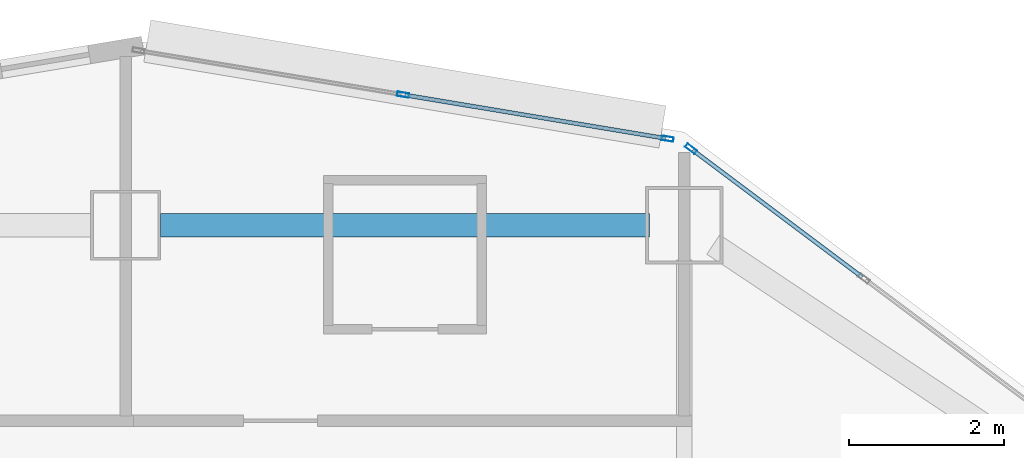
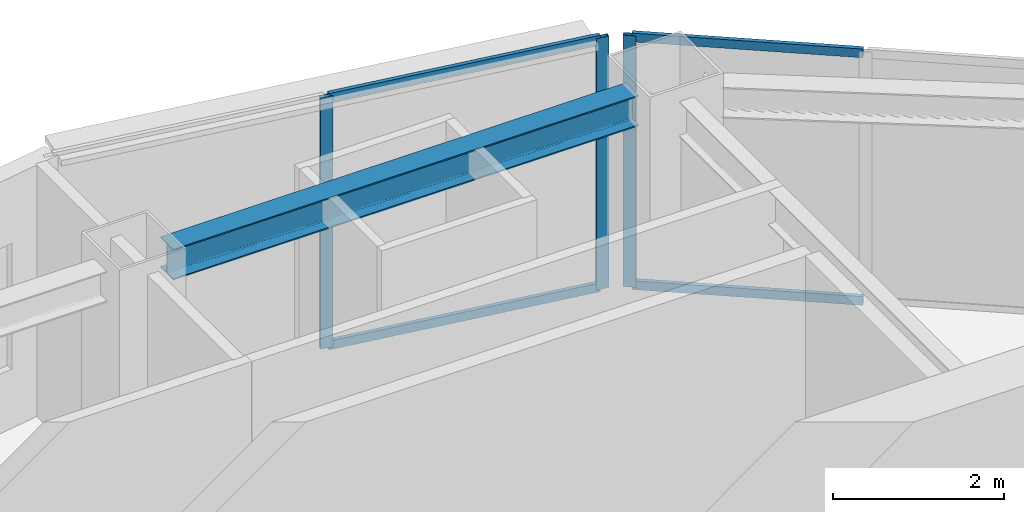
# One storey, part 4 of 14: 7 members, 1 beam, 2 elements without a shape of their own.
"""IFC4 building model written with IfcOpenShell, lengths in metres."""

from ifc_helpers import new_model, si_unit, direction, frame, origin, origin_2d, place, context, subcontext, project, spatial, hollow_rectangle, i_section, extrude, material, layer, layer_set, material_profile, profile_set, type_object, element, aggregate, save


model = new_model("IFC4")

# Units and contexts
model_context = context("Model", 3, precision=1e-05, world=origin(), true_north=direction((0.0, 1.0)))
body_context = subcontext(model_context, "Body", "Model", "MODEL_VIEW")
ifc_project = project(units=[si_unit("LENGTHUNIT", "METRE"), si_unit("AREAUNIT", "SQUARE_METRE"), si_unit("VOLUMEUNIT", "CUBIC_METRE"), si_unit("PLANEANGLEUNIT", "RADIAN"), si_unit("MASSUNIT", "GRAM", prefix="KILO")], contexts=[model_context])

# Site, building, storey
site_placement = place(None, origin())
site = spatial("IfcSite", under=ifc_project, at=site_placement, CompositionType="ELEMENT")
building_placement = place(site_placement, origin())
building = spatial("IfcBuilding", under=site, at=building_placement, Name="Haolan Belvedere Tower", CompositionType="ELEMENT")
storey_placement = place(building_placement, frame((0.0, 0.0, 144.800048828125)))
storey = spatial("IfcBuildingStorey", under=building, at=storey_placement, Name="L36", CompositionType="ELEMENT", Elevation=144.800048828125)

# Beam
ifc_material_1 = material(Name="Steel Q355B", Category="steel")
ifc_material_profile_1 = material_profile(ifc_material_1, i_section(OverallWidth=0.300048828125, OverallDepth=0.43994140625, WebThickness=0.010986328125, FlangeThickness=0.01806640625, FilletRadius=0.02392578125, at=origin_2d()), Name="Steel Q355B")
ifc_profile_set_1 = profile_set([ifc_material_profile_1], Name="Steel Q355B")
beam_type = type_object("IfcBeamType", Name="BM-HM440x300x11x18", PredefinedType="SPANDREL", material=ifc_profile_set_1)
beam_placement = place(storey_placement, frame((38.85009765625, 50.39990234375, 3.3798828125), z_axis=(1.0, 0.0, 0.0), x_axis=(0.0, 1.0, 0.0)))
element("IfcBeam", 1, at=beam_placement, inside=storey, type_object=beam_type, Name="L36 spandrel girder TC-T3-NM-MC-T3-N2", PredefinedType="SPANDREL", context=body_context, shape_type="SweptSolid", body=[
    extrude(i_section(OverallWidth=0.300048828125, OverallDepth=0.43994140625, WebThickness=0.010986328125, FlangeThickness=0.01806640625, FilletRadius=0.02392578125, at=origin_2d()), origin(), (0.0, 0.0, 1.0), 6.2998046875),
])

# Curtain wall, member
ifc_material_2 = material(Name="Anodised champagne-silver aluminium 6063-T6 and Low-E glass", Category="aluminium")
ifc_layer = layer(ifc_material_2, 0.155029296875, Name="Anodised champagne-silver aluminium 6063-T6 and Low-E glass")
ifc_layer_set = layer_set([ifc_layer], Name="Anodised champagne-silver aluminium 6063-T6 and Low-E glass")
curtain_wall_type = type_object("IfcCurtainWallType", Name="CW-SYS-03", PredefinedType="NOTDEFINED", material=ifc_layer_set)
curtain_wall_1_placement = place(storey_placement, origin())
curtain_wall_1 = element("IfcCurtainWall", 2, at=curtain_wall_1_placement, inside=storey, type_object=curtain_wall_type, Name="L36 CW-SYS-03 ribbon curtain wall 26.1", PredefinedType="NOTDEFINED")
ifc_material_3 = material(Name="Anodised aluminium 6063-T6", Category="aluminium")
ifc_material_profile_2 = material_profile(ifc_material_3, hollow_rectangle(XDim=0.05810546875, YDim=0.155029296875, WallThickness=0.00390625, at=origin_2d()), Name="Anodised aluminium 6063-T6")
ifc_profile_set_2 = profile_set([ifc_material_profile_2], Name="Anodised aluminium 6063-T6")
member_type_1 = type_object("IfcMemberType", Name="CW-SYS-03-MUL", PredefinedType="MULLION", material=ifc_profile_set_2)
member_1_placement = place(storey_placement, frame((45.6865234375, 51.385009765625, 0.0), z_axis=(0.0, 0.0, 1.0), x_axis=(-0.599994316874, -0.800004262313, 0.0)))
member_1 = element("IfcMember", 3, at=member_1_placement, type_object=member_type_1, Name="CW-03 mullion 3", PredefinedType="MULLION", context=body_context, shape_type="SweptSolid", body=[
    extrude(hollow_rectangle(XDim=0.05810546875, YDim=0.155029296875, WallThickness=0.00390625, at=origin_2d()), origin(), (0.0, 0.0, 1.0), 3.599853515625),
])

# Curtain wall, members
curtain_wall_2_placement = place(storey_placement, origin())
curtain_wall_2 = element("IfcCurtainWall", 4, at=curtain_wall_2_placement, inside=storey, type_object=curtain_wall_type, Name="L36 CW-SYS-03 ribbon curtain wall 27.1", PredefinedType="NOTDEFINED")
member_2_placement = place(storey_placement, frame((45.384765625, 51.51416015625, 0.0), z_axis=(0.0, 0.0, 1.0), x_axis=(-0.16440364043, -0.9863931483, 0.0)))
member_2 = element("IfcMember", 5, at=member_2_placement, type_object=member_type_1, Name="CW-03 mullion 1", PredefinedType="MULLION", context=body_context, shape_type="SweptSolid", body=[
    extrude(hollow_rectangle(XDim=0.05810546875, YDim=0.155029296875, WallThickness=0.00390625, at=origin_2d()), origin(), (0.0, 0.0, 1.0), 3.599853515625),
])
member_3_placement = place(storey_placement, frame((41.9755859375, 52.082275390625, 0.0), z_axis=(0.0, 0.0, 1.0), x_axis=(-0.16440364043, -0.9863931483, 0.0)))
member_3 = element("IfcMember", 6, at=member_3_placement, type_object=member_type_1, Name="CW-03 mullion 2", PredefinedType="MULLION", context=body_context, shape_type="SweptSolid", body=[
    extrude(hollow_rectangle(XDim=0.05810546875, YDim=0.155029296875, WallThickness=0.00390625, at=origin_2d()), origin(), (0.0, 0.0, 1.0), 3.599853515625),
])

# Member
ifc_material_profile_3 = material_profile(ifc_material_3, hollow_rectangle(XDim=0.053955078125, YDim=0.125, WallThickness=0.00390625, at=origin_2d()), Name="Anodised aluminium 6063-T6")
ifc_profile_set_3 = profile_set([ifc_material_profile_3], Name="Anodised aluminium 6063-T6")
member_type_2 = type_object("IfcMemberType", Name="CW-SYS-03-TRN", PredefinedType="USERDEFINED", material=ifc_profile_set_3)
member_4_placement = place(storey_placement, frame((47.892578125, 49.730712890625, 0.02685546875), z_axis=(-0.800032211306, 0.59995704919, 0.0), x_axis=(-0.59995704919, -0.800032211306, 0.0)))
member_4 = element("IfcMember", 7, at=member_4_placement, type_object=member_type_2, Name="CW-03 transom 2.1", ObjectType="TRANSOM", PredefinedType="USERDEFINED", context=body_context, shape_type="SweptSolid", body=[
    extrude(hollow_rectangle(XDim=0.053955078125, YDim=0.125, WallThickness=0.00390625, at=origin_2d()), origin(), (0.0, 0.0, 1.0), 2.728515625),
])

member_5_placement = place(storey_placement, frame((47.892578125, 49.730712890625, 3.572998046875), z_axis=(-0.800032211306, 0.59995704919, 0.0), x_axis=(-0.59995704919, -0.800032211306, 0.0)))
member_5 = element("IfcMember", 8, at=member_5_placement, type_object=member_type_2, Name="CW-03 transom 2.2", ObjectType="TRANSOM", PredefinedType="USERDEFINED", context=body_context, shape_type="SweptSolid", body=[
    extrude(hollow_rectangle(XDim=0.053955078125, YDim=0.125, WallThickness=0.00390625, at=origin_2d()), origin(), (0.0, 0.0, 1.0), 2.728515625),
])

aggregate(curtain_wall_1, [member_1, member_4, member_5])

member_6_placement = place(storey_placement, frame((45.356201171875, 51.51904296875, 0.02685546875), z_axis=(-0.986395865591, 0.16438733633, 0.0), x_axis=(-0.16438733633, -0.986395865591, 0.0)))
member_6 = element("IfcMember", 9, at=member_6_placement, type_object=member_type_2, Name="CW-03 transom 1.1", ObjectType="TRANSOM", PredefinedType="USERDEFINED", context=body_context, shape_type="SweptSolid", body=[
    extrude(hollow_rectangle(XDim=0.053955078125, YDim=0.125, WallThickness=0.00390625, at=origin_2d()), origin(), (0.0, 0.0, 1.0), 3.39794921875),
])

member_7_placement = place(storey_placement, frame((45.356201171875, 51.51904296875, 3.572998046875), z_axis=(-0.986395865591, 0.16438733633, 0.0), x_axis=(-0.16438733633, -0.986395865591, 0.0)))
member_7 = element("IfcMember", 10, at=member_7_placement, type_object=member_type_2, Name="CW-03 transom 1.2", ObjectType="TRANSOM", PredefinedType="USERDEFINED", context=body_context, shape_type="SweptSolid", body=[
    extrude(hollow_rectangle(XDim=0.053955078125, YDim=0.125, WallThickness=0.00390625, at=origin_2d()), origin(), (0.0, 0.0, 1.0), 3.39794921875),
])

aggregate(curtain_wall_2, [member_2, member_3, member_6, member_7])

save(model, "model.ifc")
